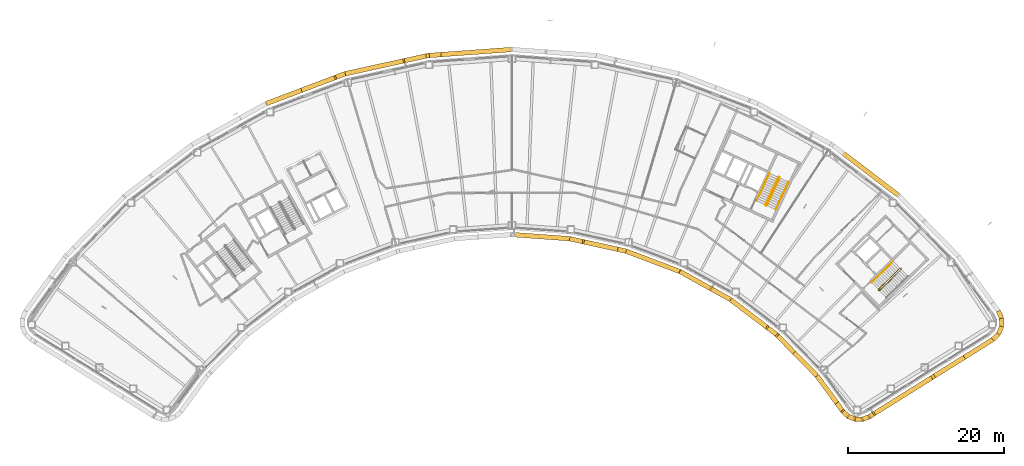
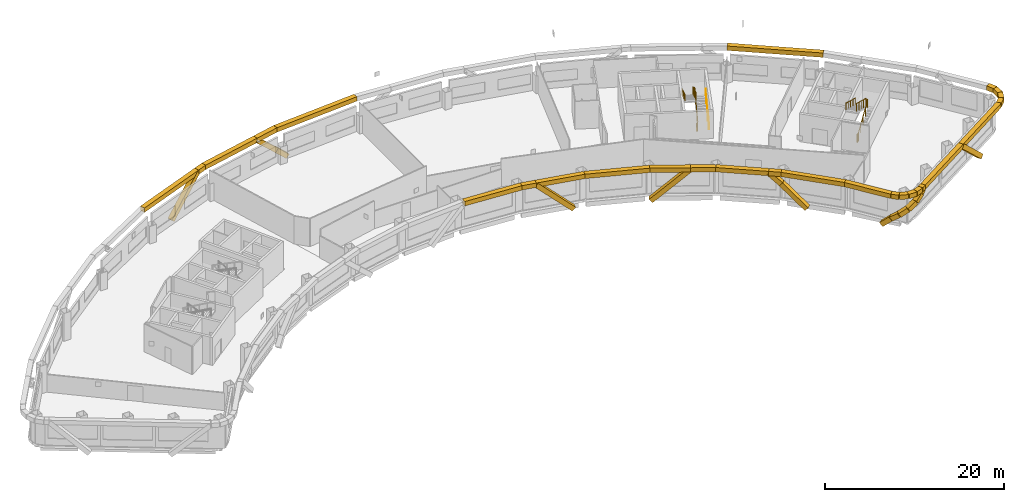
# One storey, part 18 of 20: 41 coverings, 5 railings.
"""IFC4 building model written with IfcOpenShell, lengths in metres."""

import ifcopenshell
import ifcopenshell.guid

model = None  # the IFC model being written
_history = None  # IfcOwnerHistory: only IFC2X3 demands one
_inside = {}  # id of a spatial element -> (the spatial element, [elements in it])
_under = {}  # id of a project, library or spatial element -> (it, [spatial elements below it])
_declared = {}  # id of a project -> (the project, [libraries it declares])
_typed = {}  # id of a type object -> (the type object, [elements of that type])
_made_of = {}  # id of a material, layer set ... -> (it, [elements and type objects made of it])


def new_model(schema):
    """Start an empty IFC model of exactly this schema.

    Asked for "IFC4X3", IfcOpenShell would pick the latest addendum, in which some entities
    have other attributes; the version numbers below select the first issue.
    IFC2X3 requires an IfcOwnerHistory on every rooted entity: one is made here for all.
    """
    global model, _history
    if schema == "IFC4X3":
        model = ifcopenshell.file(schema_version=(4, 3, 0, 0))
    else:
        model = ifcopenshell.file(schema=schema)
    _inside.clear()
    _under.clear()
    _declared.clear()
    _typed.clear()
    _made_of.clear()
    _history = None
    if model.schema == "IFC2X3":
        org = make("IfcOrganization", Name="unknown")
        user = make(
            "IfcPersonAndOrganization",
            ThePerson=make("IfcPerson", FamilyName="unknown"),
            TheOrganization=org,
        )
        app = make(
            "IfcApplication",
            ApplicationDeveloper=org,
            Version="unknown",
            ApplicationFullName="unknown",
            ApplicationIdentifier="unknown",
        )
        _history = make(
            "IfcOwnerHistory",
            OwningUser=user,
            OwningApplication=app,
            ChangeAction="ADDED",
            CreationDate=0,
        )
    return model


def make(cls, **values):
    """One entity of the class cls with the attributes given. An attribute that is None is left unset."""
    return model.create_entity(
        cls, **{name: value for name, value in values.items() if value is not None}
    )


def rooted(cls, **values):
    """An entity with a GlobalId (a new one), such as an element, a storey or a relation."""
    return make(cls, GlobalId=ifcopenshell.guid.new(), OwnerHistory=_history, **values)


def si_unit(unit_type, name, prefix=None):
    """IfcSIUnit, for example si_unit("LENGTHUNIT", "METRE", prefix="MILLI")."""
    return make("IfcSIUnit", UnitType=unit_type, Prefix=prefix, Name=name)


def assignment(units):
    """IfcUnitAssignment: the units of a project."""
    return None if units is None else make("IfcUnitAssignment", Units=units)


def point(xyz):
    """IfcCartesianPoint."""
    return None if xyz is None else make("IfcCartesianPoint", Coordinates=xyz)


def direction(xyz):
    """IfcDirection."""
    return None if xyz is None else make("IfcDirection", DirectionRatios=xyz)


def frame(location, z_axis=None, x_axis=None):
    """IfcAxis2Placement3D, a coordinate frame: its origin and axes. An axis left out is left unset."""
    return make(
        "IfcAxis2Placement3D",
        Location=point(location),
        Axis=direction(z_axis),
        RefDirection=direction(x_axis),
    )


def frame_2d(location, x_axis=None):
    """IfcAxis2Placement2D, a coordinate frame in the plane: its origin and x axis."""
    return make(
        "IfcAxis2Placement2D", Location=point(location), RefDirection=direction(x_axis)
    )


def origin():
    """The frame at (0, 0, 0) with its axes left unset."""
    return frame((0.0, 0.0, 0.0))


def origin_2d():
    """The frame at (0, 0) in the plane with its x axis left unset."""
    return frame_2d((0.0, 0.0))


def place(relative_to, where):
    """IfcLocalPlacement: puts the frame where relative to a parent placement (None: the world)."""
    return make(
        "IfcLocalPlacement", PlacementRelTo=relative_to, RelativePlacement=where
    )


def context(
    kind, dimensions, precision=None, world=None, true_north=None, identifier=None
):
    """IfcGeometricRepresentationContext, for example the 3D "Model" context."""
    return make(
        "IfcGeometricRepresentationContext",
        ContextIdentifier=identifier,
        ContextType=kind,
        CoordinateSpaceDimension=dimensions,
        Precision=precision,
        WorldCoordinateSystem=world,
        TrueNorth=true_north,
    )


def subcontext(parent, identifier, kind, view, scale=None):
    """IfcGeometricRepresentationSubContext, for example "Body" below "Model"."""
    return make(
        "IfcGeometricRepresentationSubContext",
        ContextIdentifier=identifier,
        ContextType=kind,
        ParentContext=parent,
        TargetScale=scale,
        TargetView=view,
    )


def project(units=None, contexts=None):
    """IfcProject with its units and contexts."""
    return rooted(
        "IfcProject",
        Name="project",
        RepresentationContexts=contexts,
        UnitsInContext=assignment(units),
    )


def spatial(cls, under=None, at=None, **own):
    """A site, building, storey or space (cls), placed at a placement, below another one or the project."""
    s = rooted(cls, ObjectPlacement=at, **own)
    if under is not None:
        _under.setdefault(under.id(), (under, []))[1].append(s)
    return s


def profile(cls, at=None, kind="AREA", **sizes):
    """A parametric profile (cls). Its sizes go by their IFC names, for example OverallWidth=200.0."""
    return make(cls, ProfileType=kind, Position=at, **sizes)


def rectangle(**sizes):
    """IfcRectangleProfileDef."""
    return profile("IfcRectangleProfileDef", **sizes)


def circle(**sizes):
    """IfcCircleProfileDef."""
    return profile("IfcCircleProfileDef", **sizes)


def extrude(swept, where, along, depth):
    """IfcExtrudedAreaSolid: the profile swept, set in the frame where, extruded along a direction by depth."""
    return make(
        "IfcExtrudedAreaSolid",
        SweptArea=swept,
        Position=where,
        ExtrudedDirection=direction(along),
        Depth=depth,
    )


def shape(context_of_items, identifier, shape_type, items):
    """IfcShapeRepresentation: the items that make up one representation, for example the "Body"."""
    return make(
        "IfcShapeRepresentation",
        ContextOfItems=context_of_items,
        RepresentationIdentifier=identifier,
        RepresentationType=shape_type,
        Items=items,
    )


def material(Name=None, Category=None):
    """IfcMaterial."""
    return make("IfcMaterial", Name=Name, Category=Category)


def material_profile(
    of_material, cross_section, Name=None, Category=None, Priority=None
):
    """IfcMaterialProfile: a cross section and its material."""
    return make(
        "IfcMaterialProfile",
        Name=Name,
        Material=of_material,
        Profile=cross_section,
        Priority=Priority,
        Category=Category,
    )


def profile_set(profiles, Name=None, composite=None):
    """IfcMaterialProfileSet."""
    return make(
        "IfcMaterialProfileSet",
        Name=Name,
        MaterialProfiles=profiles,
        CompositeProfile=composite,
    )


def made_of(thing, what):
    """Note that an element or type object is made of a material, layer set ...; save() writes the relation."""
    if what is not None:
        _made_of.setdefault(what.id(), (what, []))[1].append(thing)
    return thing


def type_object(cls, material=None, **own):
    """A type object (cls), such as IfcWallType, which elements share."""
    return made_of(rooted(cls, **own), material)


def element(
    cls,
    number,
    at=None,
    inside=None,
    cuts=None,
    type_object=None,
    material=None,
    context=None,
    identifier="Body",
    shape_type=None,
    held_by="IfcProductDefinitionShape",
    body=None,
    shapes=None,
    **own,
):
    """One element of the class cls, such as IfcWall. Its Tag is "e" and its number.

    at: its placement. inside: the storey or other place that contains it. cuts: it is an
    opening in that element (IfcRelVoidsElement). A single representation is given by context,
    identifier, shape_type and body (its items); several are given by shapes. held_by: the class
    of the entity that holds the representations. save() writes the other relations.
    """
    e = rooted(cls, Tag="e%d" % number, ObjectPlacement=at, **own)
    if body is not None:
        shapes = [shape(context, identifier, shape_type, body)]
    if shapes is not None:
        e.Representation = make(held_by, Representations=shapes)
    if inside is not None:
        _inside.setdefault(inside.id(), (inside, []))[1].append(e)
    if cuts is not None:
        rooted(
            "IfcRelVoidsElement", RelatingBuildingElement=cuts, RelatedOpeningElement=e
        )
    if type_object is not None:
        _typed.setdefault(type_object.id(), (type_object, []))[1].append(e)
    return made_of(e, material)


def aggregate(whole, parts):
    """IfcRelAggregates: a whole, such as a stair, and the parts it consists of."""
    return rooted("IfcRelAggregates", RelatingObject=whole, RelatedObjects=parts)


def save(model, path):
    """Write the relations noted so far, then the file.

    IfcRelAggregates (storeys below a building ...), IfcRelContainedInSpatialStructure (elements
    in a storey), IfcRelDefinesByType, IfcRelAssociatesMaterial and IfcRelDeclares: one each for
    every whole, place, type object, material and project.
    """
    for whole, parts in _under.values():
        aggregate(whole, parts)
    for where, things in _inside.values():
        rooted(
            "IfcRelContainedInSpatialStructure",
            RelatedElements=things,
            RelatingStructure=where,
        )
    for kind, things in _typed.values():
        rooted("IfcRelDefinesByType", RelatedObjects=things, RelatingType=kind)
    for what, things in _made_of.values():
        rooted("IfcRelAssociatesMaterial", RelatedObjects=things, RelatingMaterial=what)
    for by, libraries in _declared.values():
        rooted("IfcRelDeclares", RelatingContext=by, RelatedDefinitions=libraries)
    model.write(path)


model = new_model("IFC4")

# Units and contexts
model_context = context("Model", 3, precision=1e-05, world=origin(), true_north=direction((0.0, 1.0)))
body_context = subcontext(model_context, "Body", "Model", "MODEL_VIEW")
ifc_project = project(units=[si_unit("LENGTHUNIT", "METRE"), si_unit("AREAUNIT", "SQUARE_METRE"), si_unit("VOLUMEUNIT", "CUBIC_METRE"), si_unit("PLANEANGLEUNIT", "RADIAN"), si_unit("MASSUNIT", "GRAM", prefix="KILO")], contexts=[model_context])

# Site, building, storey
site_placement = place(None, origin())
site = spatial("IfcSite", under=ifc_project, at=site_placement, CompositionType="ELEMENT")
building_placement = place(site_placement, origin())
building = spatial("IfcBuilding", under=site, at=building_placement, Name="Tuul Gate Civic Tower", CompositionType="ELEMENT")
storey_placement = place(building_placement, frame((0.0, 0.0, 197.300048828125)))
storey = spatial("IfcBuildingStorey", under=building, at=storey_placement, Name="Level 45", CompositionType="ELEMENT", Elevation=197.300048828125)

# Railings
ifc_material_1 = material(Name="Painted steel", Category="steel")
railing_type_1 = type_object("IfcRailingType", Name="Stair guard", PredefinedType="GUARDRAIL", material=ifc_material_1)
railing_1_placement = place(storey_placement, frame((48.10546875, -16.134765625, 0.0)))
element("IfcRailing", 1, at=railing_1_placement, inside=storey, type_object=railing_type_1, Name="Level 45 ST-3 stair guard 1", PredefinedType="GUARDRAIL", context=body_context, shape_type="SweptSolid", body=[
    extrude(circle(Radius=0.02392578125, at=origin_2d()), frame((0.0, 0.0, 1.076171875), z_axis=(-0.698506948293, 0.715603272202, 0.0), x_axis=(-0.715603272202, -0.698506948293, 0.0)), (0.0, 0.0, 1.0), 0.099853515625),
    extrude(circle(Radius=0.02392578125, at=origin_2d()), frame((-0.06982421875, 0.071533203125, 1.076171875), z_axis=(0.645446321009, -0.331687692741, 0.688027849131), x_axis=(0.457068866502, 0.889431307788, 0.0)), (0.0, 0.0, 1.0), 0.2177734375),
    extrude(circle(Radius=0.02392578125, at=origin_2d()), frame((0.07080078125, -0.000732421875, 1.22607421875), z_axis=(0.638731261263, 0.626133563701, 0.447190268558), x_axis=(-0.700029477518, 0.714113947914, 0.0)), (0.0, 0.0, 1.0), 4.3603515625),
    extrude(circle(Radius=0.02392578125, at=origin_2d()), frame((2.85595703125, 2.7294921875, 3.17578125), z_axis=(0.010380063588, 0.999946125689, 0.0), x_axis=(-0.999946125689, 0.010380063588, 0.0)), (0.0, 0.0, 1.0), 0.070556640625),
    extrude(circle(Radius=0.02392578125, at=origin_2d()), frame((2.856689453125, 2.800048828125, 3.17578125), z_axis=(-0.699754442181, 0.714383454909, 0.0), x_axis=(-0.714383454909, -0.699754442181, 0.0)), (0.0, 0.0, 1.0), 0.10009765625),
    extrude(circle(Radius=0.02392578125, at=origin_2d()), frame((2.78662109375, 2.87158203125, 3.17578125), z_axis=(-0.426501027327, 0.004412079593, 0.904476316574), x_axis=(-0.010344274102, -0.999946496565, 0.0)), (0.0, 0.0, 1.0), 0.166015625),
    extrude(circle(Radius=0.02392578125, at=origin_2d()), frame((2.7158203125, 2.872314453125, 3.326171875), z_axis=(-0.638731261263, -0.626133563701, 0.447190268558), x_axis=(0.700029477518, -0.714113947914, 0.0)), (0.0, 0.0, 1.0), 4.3603515625),
    extrude(circle(Radius=0.02099609375, at=origin_2d()), origin(), (0.0, 0.0, 1.0), 1.052001953125),
    extrude(circle(Radius=0.02099609375, at=origin_2d()), frame((-0.06982421875, 0.071533203125, 0.0)), (0.0, 0.0, 1.0), 1.052001953125),
    extrude(circle(Radius=0.02099609375, at=origin_2d()), frame((0.07080078125, -0.000732421875, 0.14990234375)), (0.0, 0.0, 1.0), 1.052001953125),
    extrude(circle(Radius=0.02099609375, at=origin_2d()), frame((0.76708984375, 0.681884765625, 0.637451171875)), (0.0, 0.0, 1.0), 1.052001953125),
    extrude(circle(Radius=0.02099609375, at=origin_2d()), frame((1.46337890625, 1.3642578125, 1.125)), (0.0, 0.0, 1.0), 1.052001953125),
    extrude(circle(Radius=0.02099609375, at=origin_2d()), frame((2.15966796875, 2.046875, 1.6123046875)), (0.0, 0.0, 1.0), 1.052001953125),
    extrude(circle(Radius=0.02099609375, at=origin_2d()), frame((2.85595703125, 2.7294921875, 2.099853515625)), (0.0, 0.0, 1.0), 1.052001953125),
    extrude(circle(Radius=0.02099609375, at=origin_2d()), frame((2.856689453125, 2.800048828125, 2.099853515625)), (0.0, 0.0, 1.0), 1.052001953125),
    extrude(circle(Radius=0.02099609375, at=origin_2d()), frame((2.78662109375, 2.87158203125, 2.099853515625)), (0.0, 0.0, 1.0), 1.052001953125),
    extrude(circle(Radius=0.02099609375, at=origin_2d()), frame((2.7158203125, 2.872314453125, 2.25)), (0.0, 0.0, 1.0), 1.052001953125),
    extrude(circle(Radius=0.02099609375, at=origin_2d()), frame((2.01953125, 2.189697265625, 2.737548828125)), (0.0, 0.0, 1.0), 1.052001953125),
    extrude(circle(Radius=0.02099609375, at=origin_2d()), frame((1.3232421875, 1.50732421875, 3.22509765625)), (0.0, 0.0, 1.0), 1.052001953125),
    extrude(circle(Radius=0.02099609375, at=origin_2d()), frame((0.626953125, 0.82470703125, 3.71240234375)), (0.0, 0.0, 1.0), 1.052001953125),
    extrude(circle(Radius=0.02099609375, at=origin_2d()), frame((-0.0693359375, 0.14208984375, 4.199951171875)), (0.0, 0.0, 1.0), 1.052001953125),
])
railing_2_placement = place(storey_placement, frame((33.645751953125, -5.238525390625, 0.0)))
element("IfcRailing", 2, at=railing_2_placement, inside=storey, type_object=railing_type_1, Name="Level 45 ST-4 stair guard 1", PredefinedType="GUARDRAIL", context=body_context, shape_type="SweptSolid", body=[
    extrude(circle(Radius=0.02392578125, at=origin_2d()), frame((0.0, 0.0, 1.076171875), z_axis=(-0.906307919131, 0.422617978463, 0.0), x_axis=(-0.422617978463, -0.906307919131, 0.0)), (0.0, 0.0, 1.0), 0.099853515625),
    extrude(circle(Radius=0.02392578125, at=origin_2d()), frame((-0.090576171875, 0.042236328125, 1.076171875), z_axis=(0.720735628292, -0.082946246491, 0.688229666829), x_axis=(0.114330889033, 0.993442724979, 0.0)), (0.0, 0.0, 1.0), 0.2177734375),
    extrude(circle(Radius=0.02392578125, at=origin_2d()), frame((0.06640625, 0.024169921875, 1.22607421875), z_axis=(0.377946903738, 0.810654114417, 0.447209173356), x_axis=(-0.906336612539, 0.422556439746, 0.0)), (0.0, 0.0, 1.0), 4.3603515625),
    extrude(circle(Radius=0.02392578125, at=origin_2d()), frame((1.71435546875, 3.558837890625, 3.17578125), z_axis=(-0.342020437038, 0.939692513883, 0.0), x_axis=(-0.939692513883, -0.342020437038, 0.0)), (0.0, 0.0, 1.0), 0.070556640625),
    extrude(circle(Radius=0.02392578125, at=origin_2d()), frame((1.690185546875, 3.625244140625, 3.17578125), z_axis=(-0.906307919131, 0.422617978463, 0.0), x_axis=(-0.422617978463, -0.906307919131, 0.0)), (0.0, 0.0, 1.0), 0.099853515625),
    extrude(circle(Radius=0.02392578125, at=origin_2d()), frame((1.599609375, 3.66748046875, 3.17578125), z_axis=(-0.400168791901, -0.145649670582, 0.904793408159), x_axis=(0.342020437038, -0.939692513883, 0.0)), (0.0, 0.0, 1.0), 0.166015625),
    extrude(circle(Radius=0.02392578125, at=origin_2d()), frame((1.533203125, 3.643310546875, 3.326171875), z_axis=(-0.377946903738, -0.810654114417, 0.447209173356), x_axis=(0.906336612539, -0.422556439746, 0.0)), (0.0, 0.0, 1.0), 4.3603515625),
    extrude(circle(Radius=0.02099609375, at=origin_2d()), origin(), (0.0, 0.0, 1.0), 1.052001953125),
    extrude(circle(Radius=0.02099609375, at=origin_2d()), frame((-0.090576171875, 0.042236328125, 0.0)), (0.0, 0.0, 1.0), 1.052001953125),
    extrude(circle(Radius=0.02099609375, at=origin_2d()), frame((0.06640625, 0.024169921875, 0.14990234375)), (0.0, 0.0, 1.0), 1.052001953125),
    extrude(circle(Radius=0.02099609375, at=origin_2d()), frame((0.478515625, 0.90771484375, 0.637451171875)), (0.0, 0.0, 1.0), 1.052001953125),
    extrude(circle(Radius=0.02099609375, at=origin_2d()), frame((0.890380859375, 1.79150390625, 1.125)), (0.0, 0.0, 1.0), 1.052001953125),
    extrude(circle(Radius=0.02099609375, at=origin_2d()), frame((1.30224609375, 2.67529296875, 1.6123046875)), (0.0, 0.0, 1.0), 1.052001953125),
    extrude(circle(Radius=0.02099609375, at=origin_2d()), frame((1.71435546875, 3.558837890625, 2.099853515625)), (0.0, 0.0, 1.0), 1.052001953125),
    extrude(circle(Radius=0.02099609375, at=origin_2d()), frame((1.690185546875, 3.625244140625, 2.099853515625)), (0.0, 0.0, 1.0), 1.052001953125),
    extrude(circle(Radius=0.02099609375, at=origin_2d()), frame((1.599609375, 3.66748046875, 2.099853515625)), (0.0, 0.0, 1.0), 1.052001953125),
    extrude(circle(Radius=0.02099609375, at=origin_2d()), frame((1.533203125, 3.643310546875, 2.25)), (0.0, 0.0, 1.0), 1.052001953125),
    extrude(circle(Radius=0.02099609375, at=origin_2d()), frame((1.12109375, 2.759765625, 2.737548828125)), (0.0, 0.0, 1.0), 1.052001953125),
    extrude(circle(Radius=0.02099609375, at=origin_2d()), frame((0.709228515625, 1.8759765625, 3.22509765625)), (0.0, 0.0, 1.0), 1.052001953125),
    extrude(circle(Radius=0.02099609375, at=origin_2d()), frame((0.29736328125, 0.9921875, 3.71240234375)), (0.0, 0.0, 1.0), 1.052001953125),
    extrude(circle(Radius=0.02099609375, at=origin_2d()), frame((-0.11474609375, 0.108642578125, 4.199951171875)), (0.0, 0.0, 1.0), 1.052001953125),
])
ifc_material_2 = material(Name="Painted steel", Category="steel")
railing_type_2 = type_object("IfcRailingType", Name="Stair handrail", PredefinedType="HANDRAIL", material=ifc_material_2)
railing_3_placement = place(storey_placement, frame((49.9462890625, -12.369873046875, 2.25)))
element("IfcRailing", 3, at=railing_3_placement, inside=storey, type_object=railing_type_2, Name="Level 45 ST-3 stair handrail 2", PredefinedType="HANDRAIL", context=body_context, shape_type="SweptSolid", body=[
    extrude(circle(Radius=0.02392578125, at=origin_2d()), frame((0.0, 0.0, 0.8759765625), z_axis=(-0.638753653487, -0.626099522554, 0.447205945863), x_axis=(0.699997553204, -0.714145241186, 0.0)), (0.0, 0.0, 1.0), 4.3603515625),
    extrude(circle(Radius=0.02099609375, at=origin_2d()), origin(), (0.0, 0.0, 1.0), 0.851806640625),
    extrude(circle(Radius=0.02099609375, at=origin_2d()), frame((-0.6962890625, -0.6826171875, 0.487548828125)), (0.0, 0.0, 1.0), 0.851806640625),
    extrude(circle(Radius=0.02099609375, at=origin_2d()), frame((-1.392578125, -1.364990234375, 0.97509765625)), (0.0, 0.0, 1.0), 0.851806640625),
    extrude(circle(Radius=0.02099609375, at=origin_2d()), frame((-2.0888671875, -2.04736328125, 1.46240234375)), (0.0, 0.0, 1.0), 0.851806640625),
    extrude(circle(Radius=0.02099609375, at=origin_2d()), frame((-2.78515625, -2.72998046875, 1.949951171875)), (0.0, 0.0, 1.0), 0.851806640625),
])
railing_4_placement = place(storey_placement, frame((34.844970703125, -5.74267578125, 0.14990234375)))
element("IfcRailing", 4, at=railing_4_placement, inside=storey, type_object=railing_type_2, Name="Level 45 ST-4 stair handrail 1", PredefinedType="HANDRAIL", context=body_context, shape_type="SweptSolid", body=[
    extrude(circle(Radius=0.02392578125, at=origin_2d()), frame((0.0, 0.0, 0.8759765625), z_axis=(0.377994896215, 0.810636958585, 0.447199709091), x_axis=(-0.906312636903, 0.422607861012, 0.0)), (0.0, 0.0, 1.0), 4.3603515625),
    extrude(circle(Radius=0.02099609375, at=origin_2d()), origin(), (0.0, 0.0, 1.0), 0.851806640625),
    extrude(circle(Radius=0.02099609375, at=origin_2d()), frame((0.412109375, 0.8837890625, 0.487548828125)), (0.0, 0.0, 1.0), 0.851806640625),
    extrude(circle(Radius=0.02099609375, at=origin_2d()), frame((0.82421875, 1.767333984375, 0.97509765625)), (0.0, 0.0, 1.0), 0.851806640625),
    extrude(circle(Radius=0.02099609375, at=origin_2d()), frame((1.236083984375, 2.65087890625, 1.46240234375)), (0.0, 0.0, 1.0), 0.851806640625),
    extrude(circle(Radius=0.02099609375, at=origin_2d()), frame((1.648193359375, 3.53466796875, 1.949951171875)), (0.0, 0.0, 1.0), 0.851806640625),
])
railing_5_placement = place(storey_placement, frame((34.046142578125, -1.06689453125, 2.25)))
element("IfcRailing", 5, at=railing_5_placement, inside=storey, type_object=railing_type_2, Name="Level 45 ST-4 stair handrail 2", PredefinedType="HANDRAIL", context=body_context, shape_type="SweptSolid", body=[
    extrude(circle(Radius=0.02392578125, at=origin_2d()), frame((0.0, 0.0, 0.8759765625), z_axis=(-0.377994896215, -0.810636958585, 0.447199709091), x_axis=(0.906312636903, -0.422607861012, 0.0)), (0.0, 0.0, 1.0), 4.3603515625),
    extrude(circle(Radius=0.02099609375, at=origin_2d()), origin(), (0.0, 0.0, 1.0), 0.851806640625),
    extrude(circle(Radius=0.02099609375, at=origin_2d()), frame((-0.412109375, -0.8837890625, 0.487548828125)), (0.0, 0.0, 1.0), 0.851806640625),
    extrude(circle(Radius=0.02099609375, at=origin_2d()), frame((-0.82421875, -1.767333984375, 0.97509765625)), (0.0, 0.0, 1.0), 0.851806640625),
    extrude(circle(Radius=0.02099609375, at=origin_2d()), frame((-1.236083984375, -2.65087890625, 1.46240234375)), (0.0, 0.0, 1.0), 0.851806640625),
    extrude(circle(Radius=0.02099609375, at=origin_2d()), frame((-1.648193359375, -3.53466796875, 1.949951171875)), (0.0, 0.0, 1.0), 0.851806640625),
])

# Coverings
ifc_material_3 = material(Name="Terracotta baguette", Category="masonry")
ifc_material_profile = material_profile(ifc_material_3, rectangle(XDim=0.60009765625, YDim=0.60009765625, at=origin_2d()), Name="Terracotta baguette screen frame")
ifc_profile_set = profile_set([ifc_material_profile], Name="Terracotta baguette")
covering_type = type_object("IfcCoveringType", Name="Terracotta baguette screen frame", PredefinedType="CLADDING", material=ifc_profile_set)
covering_1_placement = place(storey_placement, frame((58.89111328125, -24.809814453125, -0.35009765625), z_axis=(-0.62165839142, -0.388462360599, 0.68017485897), x_axis=(0.529926214669, -0.848043753002, 0.0)))
element("IfcCovering", 6, at=covering_1_placement, inside=storey, type_object=covering_type, Name="Baguette 10", PredefinedType="CLADDING", context=body_context, shape_type="SweptSolid", body=[
    extrude(rectangle(XDim=0.60009765625, YDim=0.60009765625, at=origin_2d()), origin(), (0.0, 0.0, 1.0), 6.1748046875),
])
covering_2_placement = place(storey_placement, frame((-8.3271484375, 14.144287109375, -0.35009765625), z_axis=(-0.73189780635, -0.053024038807, 0.679348255586), x_axis=(0.072257946867, -0.997385978002, 0.0)))
element("IfcCovering", 7, at=covering_2_placement, inside=storey, type_object=covering_type, Name="Baguette 85", PredefinedType="CLADDING", context=body_context, shape_type="SweptSolid", body=[
    extrude(rectangle(XDim=0.60009765625, YDim=0.60009765625, at=origin_2d()), origin(), (0.0, 0.0, 1.0), 2.05810546875),
])
covering_3_placement = place(storey_placement, frame((-9.83349609375, 14.03515625, 1.048095703125), z_axis=(-0.716572364988, -0.157949030881, 0.67939395742), x_axis=(0.215255779453, -0.976557704087, 0.0)))
element("IfcCovering", 8, at=covering_3_placement, inside=storey, type_object=covering_type, Name="Baguette 86", PredefinedType="CLADDING", context=body_context, shape_type="SweptSolid", body=[
    extrude(rectangle(XDim=0.60009765625, YDim=0.60009765625, at=origin_2d()), origin(), (0.0, 0.0, 1.0), 4.1240234375),
])
covering_4_placement = place(storey_placement, frame((-12.78857421875, 13.3837890625, 3.849853515625), z_axis=(-0.976561499416, -0.21523856034, 0.0), x_axis=(0.21523856034, -0.976561499416, 0.0)))
element("IfcCovering", 9, at=covering_4_placement, inside=storey, type_object=covering_type, Name="Baguette 91", PredefinedType="CLADDING", context=body_context, shape_type="SweptSolid", body=[
    extrude(rectangle(XDim=0.60009765625, YDim=0.60009765625, at=origin_2d()), origin(), (0.0, 0.0, 1.0), 7.82421875),
])
covering_5_placement = place(storey_placement, frame((-20.429443359375, 11.69970703125, 3.849853515625), z_axis=(-0.935377216665, -0.353651611821, 0.0), x_axis=(0.353651611821, -0.935377216665, 0.0)))
element("IfcCovering", 10, at=covering_5_placement, inside=storey, type_object=covering_type, Name="Baguette 92", PredefinedType="CLADDING", context=body_context, shape_type="SweptSolid", body=[
    extrude(rectangle(XDim=0.60009765625, YDim=0.60009765625, at=origin_2d()), origin(), (0.0, 0.0, 1.0), 1.248046875),
])
covering_6_placement = place(storey_placement, frame((-21.596923828125, 11.25830078125, 3.849853515625), z_axis=(-0.686334381292, -0.259582017851, -0.679383759789), x_axis=(0.353758489664, -0.935336800832, 0.0)))
element("IfcCovering", 11, at=covering_6_placement, inside=storey, type_object=covering_type, Name="Baguette 94", PredefinedType="CLADDING", context=body_context, shape_type="SweptSolid", body=[
    extrude(rectangle(XDim=0.60009765625, YDim=0.60009765625, at=origin_2d()), origin(), (0.0, 0.0, 1.0), 6.181884765625),
])
covering_7_placement = place(storey_placement, frame((1.251953125, -8.9619140625, 3.849853515625), z_axis=(0.997385437558, -0.072265406293, 0.0), x_axis=(0.072265406293, 0.997385437558, 0.0)))
element("IfcCovering", 12, at=covering_7_placement, inside=storey, type_object=covering_type, Name="Baguette 224", PredefinedType="CLADDING", context=body_context, shape_type="SweptSolid", body=[
    extrude(rectangle(XDim=0.60009765625, YDim=0.60009765625, at=origin_2d()), origin(), (0.0, 0.0, 1.0), 7.155517578125),
])
covering_8_placement = place(storey_placement, frame((8.388671875, -9.47900390625, 3.849853515625), z_axis=(0.976551365634, -0.215284533302, 0.0), x_axis=(0.215284533302, 0.976551365634, 0.0)))
element("IfcCovering", 13, at=covering_8_placement, inside=storey, type_object=covering_type, Name="Baguette 225", PredefinedType="CLADDING", context=body_context, shape_type="SweptSolid", body=[
    extrude(rectangle(XDim=0.60009765625, YDim=0.60009765625, at=origin_2d()), origin(), (0.0, 0.0, 1.0), 1.696533203125),
])
for number, where, z_axis, x_axis, name in (
    (14, (10.04541015625, -9.84423828125, 3.849853515625), (0.708386476758, -0.156129915969, -0.688340067762), (0.215236378617, 0.976561980276, 0.0), "Baguette 227"),
    (15, (22.6923828125, -13.7666015625, -0.35009765625), (0.634441801844, -0.351671859007, 0.688338945328), (0.484804374507, 0.87462261488, 0.0), "Baguette 239"),
):
    element("IfcCovering", number, at=place(storey_placement, frame(where, z_axis=z_axis, x_axis=x_axis)), inside=storey, type_object=covering_type, Name=name, PredefinedType="CLADDING", context=body_context, shape_type="SweptSolid", body=[
        extrude(rectangle(XDim=0.60009765625, YDim=0.60009765625, at=origin_2d()), origin(), (0.0, 0.0, 1.0), 6.1015625),
    ])
covering_9_placement = place(storey_placement, frame((26.5634765625, -15.912353515625, 3.849853515625), z_axis=(0.874604932638, -0.484836273195, 0.0), x_axis=(0.484836273195, 0.874604932638, 0.0)))
element("IfcCovering", 16, at=covering_9_placement, inside=storey, type_object=covering_type, Name="Baguette 244", PredefinedType="CLADDING", context=body_context, shape_type="SweptSolid", body=[
    extrude(rectangle(XDim=0.60009765625, YDim=0.60009765625, at=origin_2d()), origin(), (0.0, 0.0, 1.0), 2.85302734375),
])
covering_10_placement = place(storey_placement, frame((29.058837890625, -17.295654296875, 3.849853515625), z_axis=(0.795583046267, -0.605844548124, 0.0), x_axis=(0.605844548124, 0.795583046267, 0.0)))
element("IfcCovering", 17, at=covering_10_placement, inside=storey, type_object=covering_type, Name="Baguette 245", PredefinedType="CLADDING", context=body_context, shape_type="SweptSolid", body=[
    extrude(rectangle(XDim=0.60009765625, YDim=0.60009765625, at=origin_2d()), origin(), (0.0, 0.0, 1.0), 5.998779296875),
])
covering_11_placement = place(storey_placement, frame((33.831298828125, -20.929931640625, 3.849853515625), z_axis=(0.57712776869, -0.439490594881, -0.688310653425), x_axis=(0.60584625249, 0.795581748372, 0.0)))
element("IfcCovering", 18, at=covering_11_placement, inside=storey, type_object=covering_type, Name="Baguette 248", PredefinedType="CLADDING", context=body_context, shape_type="SweptSolid", body=[
    extrude(rectangle(XDim=0.60009765625, YDim=0.60009765625, at=origin_2d()), origin(), (0.0, 0.0, 1.0), 1.95654296875),
])
covering_12_placement = place(storey_placement, frame((34.96044921875, -21.789794921875, 2.503173828125), z_axis=(0.507827672793, -0.517958310664, -0.688353283685), x_axis=(0.714055329058, 0.700089270768, 0.0)))
element("IfcCovering", 19, at=covering_12_placement, inside=storey, type_object=covering_type, Name="Baguette 249", PredefinedType="CLADDING", context=body_context, shape_type="SweptSolid", body=[
    extrude(rectangle(XDim=0.60009765625, YDim=0.60009765625, at=origin_2d()), origin(), (0.0, 0.0, 1.0), 4.14501953125),
])
covering_13_placement = place(storey_placement, frame((42.818603515625, -30.73583984375, -0.35009765625), z_axis=(0.431164750524, -0.590643013747, 0.682083417345), x_axis=(0.807690018687, 0.589607355546, 0.0)))
element("IfcCovering", 20, at=covering_13_placement, inside=storey, type_object=covering_type, Name="Baguette 276", PredefinedType="CLADDING", context=body_context, shape_type="SweptSolid", body=[
    extrude(rectangle(XDim=0.60009765625, YDim=0.60009765625, at=origin_2d()), origin(), (0.0, 0.0, 1.0), 1.5751953125),
])
covering_14_placement = place(storey_placement, frame((43.497802734375, -31.666259765625, 0.724365234375), z_axis=(0.593952011856, -0.556058930981, 0.581394421101), x_axis=(0.683436569223, 0.730009901199, 0.0)))
element("IfcCovering", 21, at=covering_14_placement, inside=storey, type_object=covering_type, Name="Baguette 277", PredefinedType="CLADDING", context=body_context, shape_type="SweptSolid", body=[
    extrude(rectangle(XDim=0.60009765625, YDim=0.60009765625, at=origin_2d()), origin(), (0.0, 0.0, 1.0), 1.108154296875),
])
covering_15_placement = place(storey_placement, frame((44.156005859375, -32.282470703125, 1.36865234375), z_axis=(0.774682913543, -0.308160004713, 0.552180944039), x_axis=(0.369618596292, 0.929183562745, 0.0)))
element("IfcCovering", 22, at=covering_15_placement, inside=storey, type_object=covering_type, Name="Baguette 278", PredefinedType="CLADDING", context=body_context, shape_type="SweptSolid", body=[
    extrude(rectangle(XDim=0.60009765625, YDim=0.60009765625, at=origin_2d()), origin(), (0.0, 0.0, 1.0), 1.16845703125),
])
covering_16_placement = place(storey_placement, frame((45.061279296875, -32.642578125, 2.013916015625), z_axis=(0.833844665074, -0.002509061179, 0.551993459327), x_axis=(0.003009013459, 0.999995472909, 0.0)))
element("IfcCovering", 23, at=covering_16_placement, inside=storey, type_object=covering_type, Name="Baguette 279", PredefinedType="CLADDING", context=body_context, shape_type="SweptSolid", body=[
    extrude(rectangle(XDim=0.60009765625, YDim=0.60009765625, at=origin_2d()), origin(), (0.0, 0.0, 1.0), 1.167724609375),
])
covering_17_placement = place(storey_placement, frame((46.034912109375, -32.6455078125, 2.658447265625), z_axis=(0.758041773655, 0.295283714156, 0.581532628103), x_axis=(-0.362969067807, 0.931801188997, 0.0)))
element("IfcCovering", 24, at=covering_17_placement, inside=storey, type_object=covering_type, Name="Baguette 280", PredefinedType="CLADDING", context=body_context, shape_type="SweptSolid", body=[
    extrude(rectangle(XDim=0.60009765625, YDim=0.60009765625, at=origin_2d()), origin(), (0.0, 0.0, 1.0), 1.10791015625),
])
covering_18_placement = place(storey_placement, frame((46.874755859375, -32.318359375, 3.302734375), z_axis=(0.621798115518, 0.388434157083, 0.680063239081), x_axis=(-0.52981289744, 0.848114552231, 0.0)))
element("IfcCovering", 25, at=covering_18_placement, inside=storey, type_object=covering_type, Name="Baguette 281", PredefinedType="CLADDING", context=body_context, shape_type="SweptSolid", body=[
    extrude(rectangle(XDim=0.60009765625, YDim=0.60009765625, at=origin_2d()), origin(), (0.0, 0.0, 1.0), 0.804443359375),
])
covering_19_placement = place(storey_placement, frame((47.375, -32.005859375, 3.849853515625), z_axis=(0.848051326016, 0.529914095342, 0.0), x_axis=(-0.529914095342, 0.848051326016, 0.0)))
element("IfcCovering", 26, at=covering_19_placement, inside=storey, type_object=covering_type, Name="Baguette 284", PredefinedType="CLADDING", context=body_context, shape_type="SweptSolid", body=[
    extrude(rectangle(XDim=0.60009765625, YDim=0.60009765625, at=origin_2d()), origin(), (0.0, 0.0, 1.0), 9.052978515625),
])
covering_20_placement = place(storey_placement, frame((50.68359375, -3.97314453125, 3.849853515625), z_axis=(-0.795618643442, 0.605797799771, 0.0), x_axis=(-0.605797799771, -0.795618643442, 0.0)))
element("IfcCovering", 27, at=covering_20_placement, inside=storey, type_object=covering_type, Name="Baguette 402", PredefinedType="CLADDING", context=body_context, shape_type="SweptSolid", body=[
    extrude(rectangle(XDim=0.60009765625, YDim=0.60009765625, at=origin_2d()), origin(), (0.0, 0.0, 1.0), 10.851318359375),
])
covering_21_placement = place(storey_placement, frame((0.989990234375, 14.819091796875, 3.849853515625), z_axis=(-0.99738728677, -0.072239879499, 0.0), x_axis=(0.072239879499, -0.99738728677, 0.0)))
element("IfcCovering", 28, at=covering_21_placement, inside=storey, type_object=covering_type, Name="Baguette 407", PredefinedType="CLADDING", context=body_context, shape_type="SweptSolid", body=[
    extrude(rectangle(XDim=0.60009765625, YDim=0.60009765625, at=origin_2d()), origin(), (0.0, 0.0, 1.0), 10.851806640625),
])
covering_22_placement = place(storey_placement, frame((-9.83349609375, 14.03515625, 3.849853515625), z_axis=(-0.976557704087, -0.215255779453, 0.0), x_axis=(0.215255779453, -0.976557704087, 0.0)))
element("IfcCovering", 29, at=covering_22_placement, inside=storey, type_object=covering_type, Name="Baguette 408", PredefinedType="CLADDING", context=body_context, shape_type="SweptSolid", body=[
    extrude(rectangle(XDim=0.60009765625, YDim=0.60009765625, at=origin_2d()), origin(), (0.0, 0.0, 1.0), 3.026123046875),
])
covering_23_placement = place(storey_placement, frame((-21.596923828125, 11.25830078125, 3.849853515625), z_axis=(-0.935344466334, -0.353738221428, 0.0), x_axis=(0.353738221428, -0.935344466334, 0.0)))
element("IfcCovering", 30, at=covering_23_placement, inside=storey, type_object=covering_type, Name="Baguette 409", PredefinedType="CLADDING", context=body_context, shape_type="SweptSolid", body=[
    extrude(rectangle(XDim=0.60009765625, YDim=0.60009765625, at=origin_2d()), origin(), (0.0, 0.0, 1.0), 9.60302734375),
])
covering_24_placement = place(storey_placement, frame((10.04541015625, -9.84423828125, 3.849853515625), z_axis=(0.976561115954, -0.215240300147, 0.0), x_axis=(0.215240300147, 0.976561115954, 0.0)))
element("IfcCovering", 31, at=covering_24_placement, inside=storey, type_object=covering_type, Name="Baguette 422", PredefinedType="CLADDING", context=body_context, shape_type="SweptSolid", body=[
    extrude(rectangle(XDim=0.60009765625, YDim=0.60009765625, at=origin_2d()), origin(), (0.0, 0.0, 1.0), 5.72119140625),
])
covering_25_placement = place(storey_placement, frame((15.632568359375, -11.07568359375, 3.849853515625), z_axis=(0.935363965038, -0.353686659217, 0.0), x_axis=(0.353686659217, 0.935363965038, 0.0)))
element("IfcCovering", 32, at=covering_25_placement, inside=storey, type_object=covering_type, Name="Baguette 423", PredefinedType="CLADDING", context=body_context, shape_type="SweptSolid", body=[
    extrude(rectangle(XDim=0.60009765625, YDim=0.60009765625, at=origin_2d()), origin(), (0.0, 0.0, 1.0), 7.417724609375),
])
covering_26_placement = place(storey_placement, frame((22.57080078125, -13.69921875, 3.849853515625), z_axis=(0.874623567378, -0.484802656126, 0.0), x_axis=(0.484802656126, 0.874623567378, 0.0)))
element("IfcCovering", 33, at=covering_26_placement, inside=storey, type_object=covering_type, Name="Baguette 424", PredefinedType="CLADDING", context=body_context, shape_type="SweptSolid", body=[
    extrude(rectangle(XDim=0.60009765625, YDim=0.60009765625, at=origin_2d()), origin(), (0.0, 0.0, 1.0), 4.56494140625),
])
covering_27_placement = place(storey_placement, frame((33.831298828125, -20.929931640625, 3.849853515625), z_axis=(0.795581748372, -0.60584625249, 0.0), x_axis=(0.60584625249, 0.795581748372, 0.0)))
element("IfcCovering", 34, at=covering_27_placement, inside=storey, type_object=covering_type, Name="Baguette 425", PredefinedType="CLADDING", context=body_context, shape_type="SweptSolid", body=[
    extrude(rectangle(XDim=0.60009765625, YDim=0.60009765625, at=origin_2d()), origin(), (0.0, 0.0, 1.0), 1.419189453125),
])
covering_28_placement = place(storey_placement, frame((34.96044921875, -21.789794921875, 3.849853515625), z_axis=(0.700094446295, -0.714050254721, 0.0), x_axis=(0.714050254721, 0.700094446295, 0.0)))
element("IfcCovering", 35, at=covering_28_placement, inside=storey, type_object=covering_type, Name="Baguette 426", PredefinedType="CLADDING", context=body_context, shape_type="SweptSolid", body=[
    extrude(rectangle(XDim=0.60009765625, YDim=0.60009765625, at=origin_2d()), origin(), (0.0, 0.0, 1.0), 7.41748046875),
])
covering_29_placement = place(storey_placement, frame((40.1533203125, -27.086181640625, 3.849853515625), z_axis=(0.589729447422, -0.807600878432, 0.0), x_axis=(0.807600878432, 0.589729447422, 0.0)))
element("IfcCovering", 36, at=covering_29_placement, inside=storey, type_object=covering_type, Name="Baguette 427", PredefinedType="CLADDING", context=body_context, shape_type="SweptSolid", body=[
    extrude(rectangle(XDim=0.60009765625, YDim=0.60009765625, at=origin_2d()), origin(), (0.0, 0.0, 1.0), 5.671142578125),
])
covering_30_placement = place(storey_placement, frame((43.497802734375, -31.666259765625, 3.849853515625), z_axis=(0.730009901199, -0.683436569223, 0.0), x_axis=(0.683436569223, 0.730009901199, 0.0)))
element("IfcCovering", 37, at=covering_30_placement, inside=storey, type_object=covering_type, Name="Baguette 428", PredefinedType="CLADDING", context=body_context, shape_type="SweptSolid", body=[
    extrude(rectangle(XDim=0.60009765625, YDim=0.60009765625, at=origin_2d()), origin(), (0.0, 0.0, 1.0), 0.901611328125),
])
covering_31_placement = place(storey_placement, frame((44.156005859375, -32.282470703125, 3.849853515625), z_axis=(0.929183562745, -0.369618596292, 0.0), x_axis=(0.369618596292, 0.929183562745, 0.0)))
element("IfcCovering", 38, at=covering_31_placement, inside=storey, type_object=covering_type, Name="Baguette 429", PredefinedType="CLADDING", context=body_context, shape_type="SweptSolid", body=[
    extrude(rectangle(XDim=0.60009765625, YDim=0.60009765625, at=origin_2d()), origin(), (0.0, 0.0, 1.0), 0.974365234375),
])
covering_32_placement = place(storey_placement, frame((45.061279296875, -32.642578125, 3.849853515625), z_axis=(0.999995472909, -0.003009013459, 0.0), x_axis=(0.003009013459, 0.999995472909, 0.0)))
element("IfcCovering", 39, at=covering_32_placement, inside=storey, type_object=covering_type, Name="Baguette 430", PredefinedType="CLADDING", context=body_context, shape_type="SweptSolid", body=[
    extrude(rectangle(XDim=0.60009765625, YDim=0.60009765625, at=origin_2d()), origin(), (0.0, 0.0, 1.0), 0.9736328125),
])
covering_33_placement = place(storey_placement, frame((46.034912109375, -32.6455078125, 3.849853515625), z_axis=(0.931801188997, 0.362969067807, 0.0), x_axis=(-0.362969067807, 0.931801188997, 0.0)))
element("IfcCovering", 40, at=covering_33_placement, inside=storey, type_object=covering_type, Name="Baguette 431", PredefinedType="CLADDING", context=body_context, shape_type="SweptSolid", body=[
    extrude(rectangle(XDim=0.60009765625, YDim=0.60009765625, at=origin_2d()), origin(), (0.0, 0.0, 1.0), 0.9013671875),
])
covering_34_placement = place(storey_placement, frame((46.874755859375, -32.318359375, 3.849853515625), z_axis=(0.848114552231, 0.52981289744, 0.0), x_axis=(-0.52981289744, 0.848114552231, 0.0)))
element("IfcCovering", 41, at=covering_34_placement, inside=storey, type_object=covering_type, Name="Baguette 432", PredefinedType="CLADDING", context=body_context, shape_type="SweptSolid", body=[
    extrude(rectangle(XDim=0.60009765625, YDim=0.60009765625, at=origin_2d()), origin(), (0.0, 0.0, 1.0), 0.58984375),
])
covering_35_placement = place(storey_placement, frame((55.052490234375, -27.20849609375, 3.849853515625), z_axis=(0.848051326016, 0.529914095342, 0.0), x_axis=(-0.529914095342, 0.848051326016, 0.0)))
element("IfcCovering", 42, at=covering_35_placement, inside=storey, type_object=covering_type, Name="Baguette 433", PredefinedType="CLADDING", context=body_context, shape_type="SweptSolid", body=[
    extrude(rectangle(XDim=0.60009765625, YDim=0.60009765625, at=origin_2d()), origin(), (0.0, 0.0, 1.0), 9.052978515625),
])
covering_36_placement = place(storey_placement, frame((62.72998046875, -22.4111328125, 3.849853515625), z_axis=(0.722137314744, 0.691749737011, 0.0), x_axis=(-0.691749737011, 0.722137314744, 0.0)))
element("IfcCovering", 43, at=covering_36_placement, inside=storey, type_object=covering_type, Name="Baguette 434", PredefinedType="CLADDING", context=body_context, shape_type="SweptSolid", body=[
    extrude(rectangle(XDim=0.60009765625, YDim=0.60009765625, at=origin_2d()), origin(), (0.0, 0.0, 1.0), 0.98828125),
])
covering_37_placement = place(storey_placement, frame((63.443603515625, -21.7275390625, 3.849853515625), z_axis=(0.385784883999, 0.922588761734, 0.0), x_axis=(-0.922588761734, 0.385784883999, 0.0)))
element("IfcCovering", 44, at=covering_37_placement, inside=storey, type_object=covering_type, Name="Baguette 435", PredefinedType="CLADDING", context=body_context, shape_type="SweptSolid", body=[
    extrude(rectangle(XDim=0.60009765625, YDim=0.60009765625, at=origin_2d()), origin(), (0.0, 0.0, 1.0), 1.06689453125),
])
covering_38_placement = place(storey_placement, frame((63.855224609375, -20.7431640625, 3.849853515625), z_axis=(-0.014633694716, 0.999892921757, 0.0), x_axis=(-0.999892921757, -0.014633694716, 0.0)))
element("IfcCovering", 45, at=covering_38_placement, inside=storey, type_object=covering_type, Name="Baguette 436", PredefinedType="CLADDING", context=body_context, shape_type="SweptSolid", body=[
    extrude(rectangle(XDim=0.60009765625, YDim=0.60009765625, at=origin_2d()), origin(), (0.0, 0.0, 1.0), 1.067626953125),
])
covering_39_placement = place(storey_placement, frame((63.839599609375, -19.675537109375, 3.849853515625), z_axis=(-0.413393330634, 0.910552554325, 0.0), x_axis=(-0.910552554325, -0.413393330634, 0.0)))
element("IfcCovering", 46, at=covering_39_placement, inside=storey, type_object=covering_type, Name="Baguette 437", PredefinedType="CLADDING", context=body_context, shape_type="SweptSolid", body=[
    extrude(rectangle(XDim=0.60009765625, YDim=0.60009765625, at=origin_2d()), origin(), (0.0, 0.0, 1.0), 0.988037109375),
])

save(model, "model.ifc")
